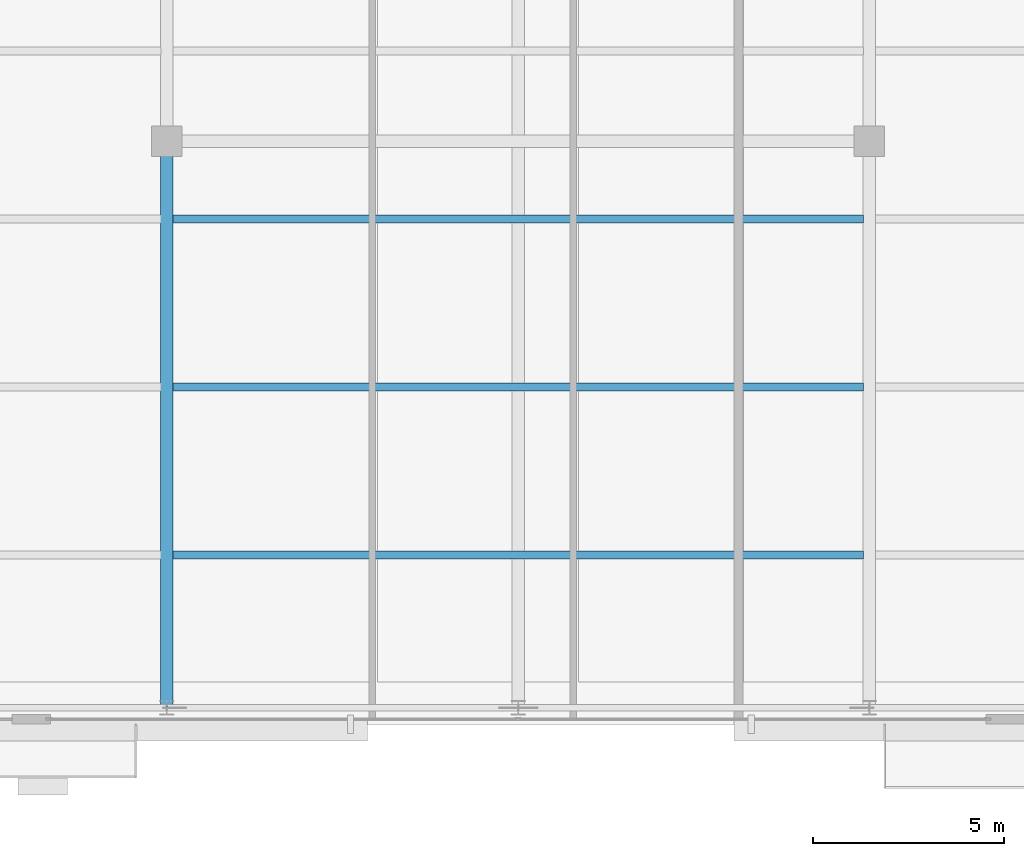
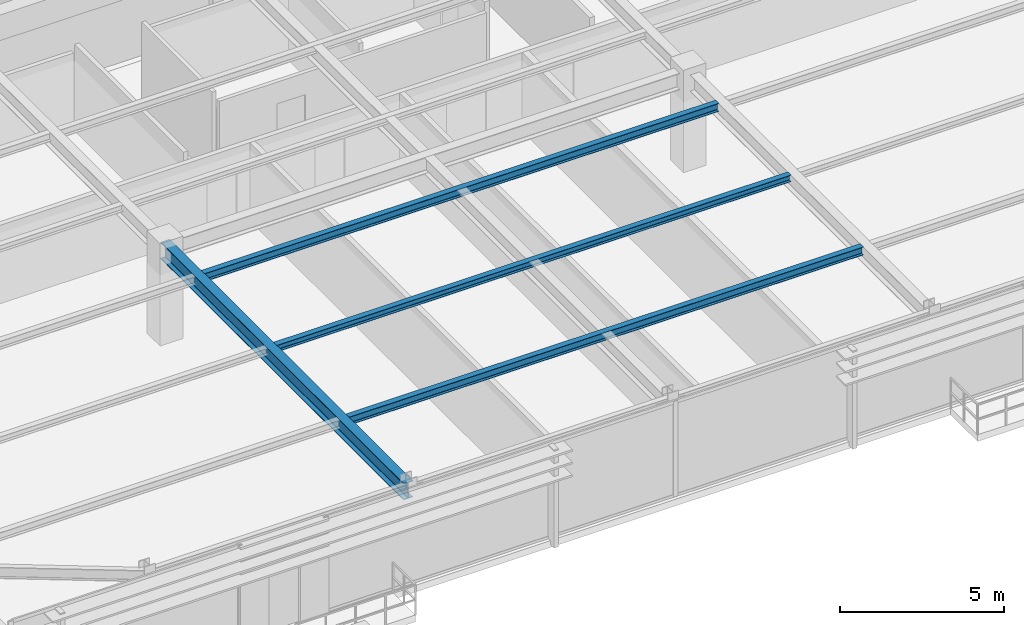
# One storey, part 9 of 31: 4 beams.
"""IFC4 building model written with IfcOpenShell, lengths in metres."""

from ifc_helpers import new_model, si_unit, direction, frame, origin, origin_2d, place, context, subcontext, project, spatial, i_section, extrude, source, transform, mapped, material, material_profile, profile_set, type_object, type_shapes, element, save


model = new_model("IFC4")

# Units and contexts
model_context = context("Model", 3, precision=1e-05, world=origin(), true_north=direction((0.0, 1.0)))
body_context = subcontext(model_context, "Body", "Model", "MODEL_VIEW")
ifc_project = project(units=[si_unit("LENGTHUNIT", "METRE"), si_unit("AREAUNIT", "SQUARE_METRE"), si_unit("VOLUMEUNIT", "CUBIC_METRE"), si_unit("PLANEANGLEUNIT", "RADIAN"), si_unit("MASSUNIT", "GRAM", prefix="KILO")], contexts=[model_context])

# Site, building, storey
site_placement = place(None, origin())
site = spatial("IfcSite", under=ifc_project, at=site_placement, CompositionType="ELEMENT")
building_placement = place(site_placement, origin())
building = spatial("IfcBuilding", under=site, at=building_placement, Name="Varnel Quay Broadcast Tower", CompositionType="ELEMENT")
storey_placement = place(building_placement, frame((0.0, 0.0, 157.199951171875)))
storey = spatial("IfcBuildingStorey", under=building, at=storey_placement, Name="L38", CompositionType="ELEMENT", Elevation=157.199951171875)

# Beams
ifc_material = material(Name="Structural Steel CSA G40.21 350W", Category="steel")
ifc_material_profile_1 = material_profile(ifc_material, i_section(OverallWidth=0.324951171875, OverallDepth=0.615966796875, WebThickness=0.013916015625, FlangeThickness=0.021484375, FilletRadius=0.01611328125, at=origin_2d()), Name="W610X174")
ifc_profile_set_1 = profile_set([ifc_material_profile_1], Name="Structural Steel CSA G40.21 350W")
beam_type_1 = type_object("IfcBeamType", Name="Girder_W610X174", PredefinedType="BEAM", material=ifc_profile_set_1)
shared_shape_1 = source(origin(), body_context, "Body", "SweptSolid", [
    extrude(i_section(OverallWidth=0.324951171875, OverallDepth=0.615966796875, WebThickness=0.013916015625, FlangeThickness=0.021484375, FilletRadius=0.01611328125, at=origin_2d()), origin(), (0.0, 0.0, 1.0), 14.800048828125),
])
type_shapes(beam_type_1, [shared_shape_1])
beam_1_placement = place(storey_placement, frame((24.800048828125, 7.669921875, 3.241943359375), z_axis=(0.0, 1.0, 0.0), x_axis=(-1.0, 0.0, 0.0)))
element("IfcBeam", 1, at=beam_1_placement, inside=storey, type_object=beam_type_1, Name="L38 Primary Girder TC-S2-IC-01", PredefinedType="BEAM", context=body_context, shape_type="MappedRepresentation", body=[
    mapped(shared_shape_1, transform((0.0, 0.0, 0.0), x_axis=(1.0, 0.0, 0.0), y_axis=(0.0, 1.0, 0.0), z_axis=(0.0, 0.0, 1.0), scale=1.0)),
])
ifc_material_profile_2 = material_profile(ifc_material, i_section(OverallWidth=0.202880859375, OverallDepth=0.302978515625, WebThickness=0.007568359375, FlangeThickness=0.01318359375, FilletRadius=0.011962890625, at=origin_2d()), Name="W310X60")
ifc_profile_set_2 = profile_set([ifc_material_profile_2], Name="Structural Steel CSA G40.21 350W")
beam_type_2 = type_object("IfcBeamType", Name="Beam_W310X60", PredefinedType="JOIST", material=ifc_profile_set_2)
shared_shape_2 = source(origin(), body_context, "Body", "SweptSolid", [
    extrude(i_section(OverallWidth=0.202880859375, OverallDepth=0.302978515625, WebThickness=0.007568359375, FlangeThickness=0.01318359375, FilletRadius=0.011962890625, at=origin_2d()), origin(), (0.0, 0.0, 1.0), 18.0849609375),
])
type_shapes(beam_type_2, [shared_shape_2])
for number, where, z_axis, x_axis, name in (
    (2, (24.95751953125, 11.64990234375, 3.3984375), (1.0, 0.0, 0.0), (0.0, 1.0, 0.0), "L38 Central Floor Joist 1"),
    (3, (24.95751953125, 20.449951171875, 3.3984375), (1.0, 0.0, 0.0), (0.0, 1.0, 0.0), "L38 Central Floor Joist 3"),
):
    element("IfcBeam", number, at=place(storey_placement, frame(where, z_axis=z_axis, x_axis=x_axis)), inside=storey, type_object=beam_type_2, Name=name, PredefinedType="JOIST", context=body_context, shape_type="MappedRepresentation", body=[
        mapped(shared_shape_2, transform((0.0, 0.0, 0.0), x_axis=(1.0, 0.0, 0.0), y_axis=(0.0, 1.0, 0.0), z_axis=(0.0, 0.0, 1.0), scale=1.0)),
    ])
ifc_material_profile_3 = material_profile(ifc_material, i_section(OverallWidth=0.201904296875, OverallDepth=0.2470703125, WebThickness=0.00732421875, FlangeThickness=0.010986328125, FilletRadius=0.010986328125, at=origin_2d()), Name="W250X49")
ifc_profile_set_3 = profile_set([ifc_material_profile_3], Name="Structural Steel CSA G40.21 350W")
beam_type_3 = type_object("IfcBeamType", Name="Beam_W250X49", PredefinedType="JOIST", material=ifc_profile_set_3)
shared_shape_3 = source(origin(), body_context, "Body", "SweptSolid", [
    extrude(i_section(OverallWidth=0.201904296875, OverallDepth=0.2470703125, WebThickness=0.00732421875, FlangeThickness=0.010986328125, FilletRadius=0.010986328125, at=origin_2d()), origin(), (0.0, 0.0, 1.0), 18.0849609375),
])
type_shapes(beam_type_3, [shared_shape_3])
beam_2_placement = place(storey_placement, frame((24.95751953125, 16.050048828125, 3.426513671875), z_axis=(1.0, 0.0, 0.0), x_axis=(0.0, 1.0, 0.0)))
element("IfcBeam", 4, at=beam_2_placement, inside=storey, type_object=beam_type_3, Name="L38 Central Floor Joist 2", PredefinedType="JOIST", context=body_context, shape_type="MappedRepresentation", body=[
    mapped(shared_shape_3, transform((0.0, 0.0, 0.0), x_axis=(1.0, 0.0, 0.0), y_axis=(0.0, 1.0, 0.0), z_axis=(0.0, 0.0, 1.0), scale=1.0)),
])

save(model, "model.ifc")
